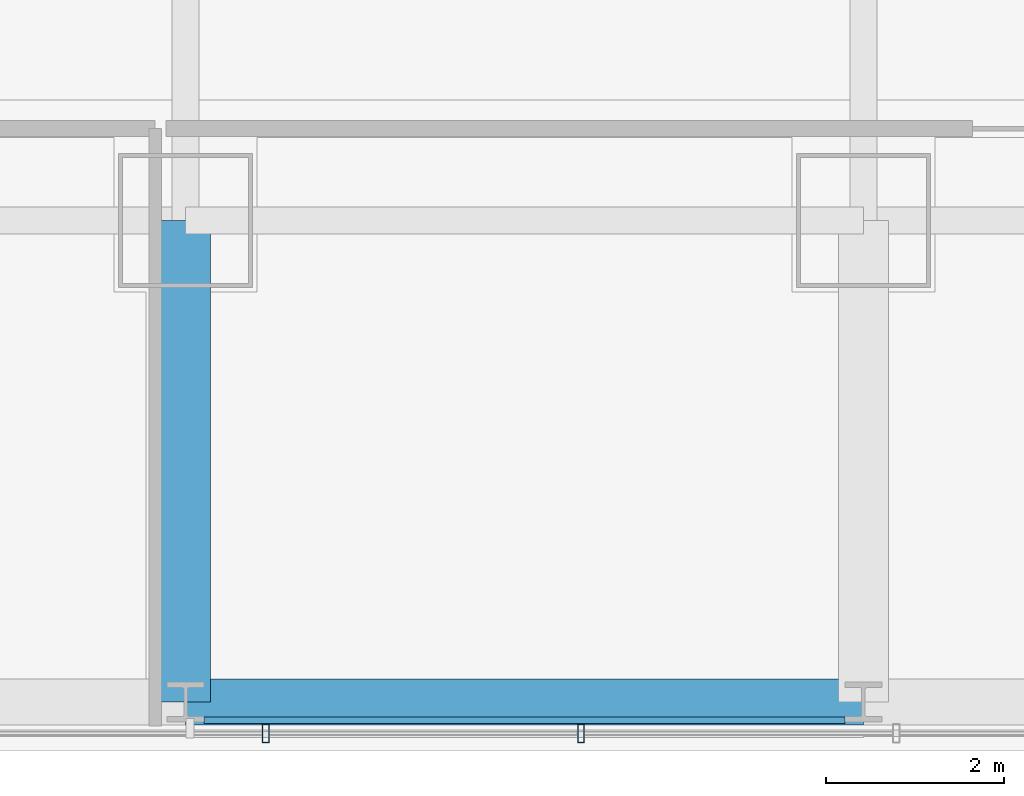
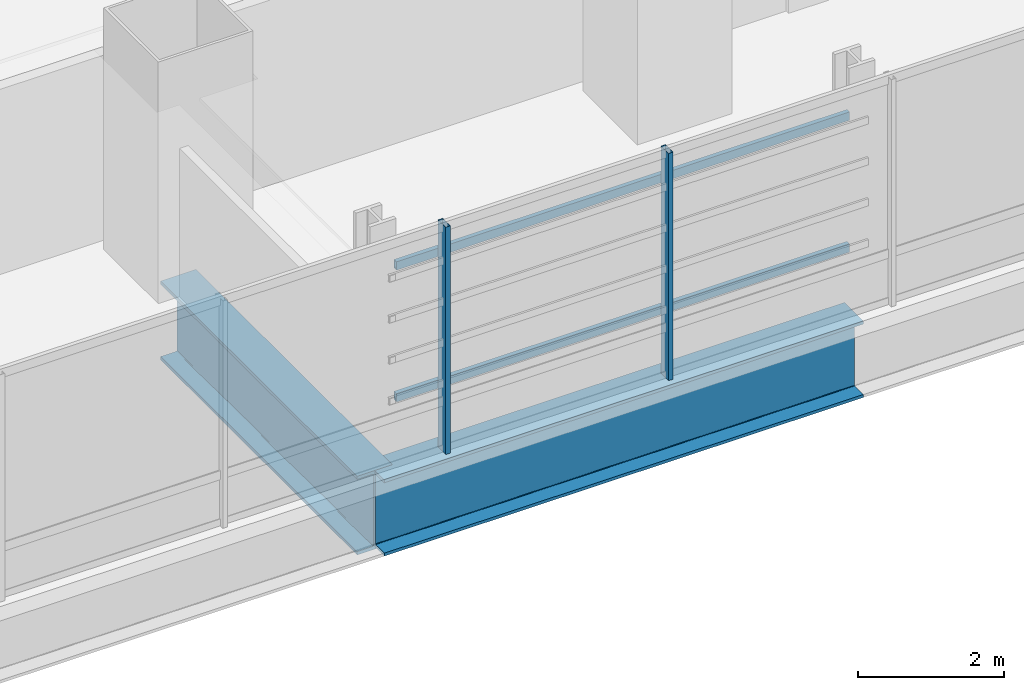
# One storey, part 4 of 35: 4 members, 2 beams, 1 element without a shape of its own.
"""IFC4 building model written with IfcOpenShell, lengths in metres."""

import ifcopenshell
import ifcopenshell.guid

model = None  # the IFC model being written
_history = None  # IfcOwnerHistory: only IFC2X3 demands one
_inside = {}  # id of a spatial element -> (the spatial element, [elements in it])
_under = {}  # id of a project, library or spatial element -> (it, [spatial elements below it])
_declared = {}  # id of a project -> (the project, [libraries it declares])
_typed = {}  # id of a type object -> (the type object, [elements of that type])
_made_of = {}  # id of a material, layer set ... -> (it, [elements and type objects made of it])


def new_model(schema):
    """Start an empty IFC model of exactly this schema.

    Asked for "IFC4X3", IfcOpenShell would pick the latest addendum, in which some entities
    have other attributes; the version numbers below select the first issue.
    IFC2X3 requires an IfcOwnerHistory on every rooted entity: one is made here for all.
    """
    global model, _history
    if schema == "IFC4X3":
        model = ifcopenshell.file(schema_version=(4, 3, 0, 0))
    else:
        model = ifcopenshell.file(schema=schema)
    _inside.clear()
    _under.clear()
    _declared.clear()
    _typed.clear()
    _made_of.clear()
    _history = None
    if model.schema == "IFC2X3":
        org = make("IfcOrganization", Name="unknown")
        user = make(
            "IfcPersonAndOrganization",
            ThePerson=make("IfcPerson", FamilyName="unknown"),
            TheOrganization=org,
        )
        app = make(
            "IfcApplication",
            ApplicationDeveloper=org,
            Version="unknown",
            ApplicationFullName="unknown",
            ApplicationIdentifier="unknown",
        )
        _history = make(
            "IfcOwnerHistory",
            OwningUser=user,
            OwningApplication=app,
            ChangeAction="ADDED",
            CreationDate=0,
        )
    return model


def make(cls, **values):
    """One entity of the class cls with the attributes given. An attribute that is None is left unset."""
    return model.create_entity(
        cls, **{name: value for name, value in values.items() if value is not None}
    )


def rooted(cls, **values):
    """An entity with a GlobalId (a new one), such as an element, a storey or a relation."""
    return make(cls, GlobalId=ifcopenshell.guid.new(), OwnerHistory=_history, **values)


def si_unit(unit_type, name, prefix=None):
    """IfcSIUnit, for example si_unit("LENGTHUNIT", "METRE", prefix="MILLI")."""
    return make("IfcSIUnit", UnitType=unit_type, Prefix=prefix, Name=name)


def assignment(units):
    """IfcUnitAssignment: the units of a project."""
    return None if units is None else make("IfcUnitAssignment", Units=units)


def point(xyz):
    """IfcCartesianPoint."""
    return None if xyz is None else make("IfcCartesianPoint", Coordinates=xyz)


def direction(xyz):
    """IfcDirection."""
    return None if xyz is None else make("IfcDirection", DirectionRatios=xyz)


def frame(location, z_axis=None, x_axis=None):
    """IfcAxis2Placement3D, a coordinate frame: its origin and axes. An axis left out is left unset."""
    return make(
        "IfcAxis2Placement3D",
        Location=point(location),
        Axis=direction(z_axis),
        RefDirection=direction(x_axis),
    )


def frame_2d(location, x_axis=None):
    """IfcAxis2Placement2D, a coordinate frame in the plane: its origin and x axis."""
    return make(
        "IfcAxis2Placement2D", Location=point(location), RefDirection=direction(x_axis)
    )


def origin():
    """The frame at (0, 0, 0) with its axes left unset."""
    return frame((0.0, 0.0, 0.0))


def origin_2d():
    """The frame at (0, 0) in the plane with its x axis left unset."""
    return frame_2d((0.0, 0.0))


def place(relative_to, where):
    """IfcLocalPlacement: puts the frame where relative to a parent placement (None: the world)."""
    return make(
        "IfcLocalPlacement", PlacementRelTo=relative_to, RelativePlacement=where
    )


def context(
    kind, dimensions, precision=None, world=None, true_north=None, identifier=None
):
    """IfcGeometricRepresentationContext, for example the 3D "Model" context."""
    return make(
        "IfcGeometricRepresentationContext",
        ContextIdentifier=identifier,
        ContextType=kind,
        CoordinateSpaceDimension=dimensions,
        Precision=precision,
        WorldCoordinateSystem=world,
        TrueNorth=true_north,
    )


def subcontext(parent, identifier, kind, view, scale=None):
    """IfcGeometricRepresentationSubContext, for example "Body" below "Model"."""
    return make(
        "IfcGeometricRepresentationSubContext",
        ContextIdentifier=identifier,
        ContextType=kind,
        ParentContext=parent,
        TargetScale=scale,
        TargetView=view,
    )


def project(units=None, contexts=None):
    """IfcProject with its units and contexts."""
    return rooted(
        "IfcProject",
        Name="project",
        RepresentationContexts=contexts,
        UnitsInContext=assignment(units),
    )


def spatial(cls, under=None, at=None, **own):
    """A site, building, storey or space (cls), placed at a placement, below another one or the project."""
    s = rooted(cls, ObjectPlacement=at, **own)
    if under is not None:
        _under.setdefault(under.id(), (under, []))[1].append(s)
    return s


def profile(cls, at=None, kind="AREA", **sizes):
    """A parametric profile (cls). Its sizes go by their IFC names, for example OverallWidth=200.0."""
    return make(cls, ProfileType=kind, Position=at, **sizes)


def hollow_rectangle(**sizes):
    """IfcRectangleHollowProfileDef."""
    return profile("IfcRectangleHollowProfileDef", **sizes)


def i_section(**sizes):
    """IfcIShapeProfileDef."""
    return profile("IfcIShapeProfileDef", **sizes)


def extrude(swept, where, along, depth):
    """IfcExtrudedAreaSolid: the profile swept, set in the frame where, extruded along a direction by depth."""
    return make(
        "IfcExtrudedAreaSolid",
        SweptArea=swept,
        Position=where,
        ExtrudedDirection=direction(along),
        Depth=depth,
    )


def shape(context_of_items, identifier, shape_type, items):
    """IfcShapeRepresentation: the items that make up one representation, for example the "Body"."""
    return make(
        "IfcShapeRepresentation",
        ContextOfItems=context_of_items,
        RepresentationIdentifier=identifier,
        RepresentationType=shape_type,
        Items=items,
    )


def material(Name=None, Category=None):
    """IfcMaterial."""
    return make("IfcMaterial", Name=Name, Category=Category)


def material_profile(
    of_material, cross_section, Name=None, Category=None, Priority=None
):
    """IfcMaterialProfile: a cross section and its material."""
    return make(
        "IfcMaterialProfile",
        Name=Name,
        Material=of_material,
        Profile=cross_section,
        Priority=Priority,
        Category=Category,
    )


def profile_set(profiles, Name=None, composite=None):
    """IfcMaterialProfileSet."""
    return make(
        "IfcMaterialProfileSet",
        Name=Name,
        MaterialProfiles=profiles,
        CompositeProfile=composite,
    )


def made_of(thing, what):
    """Note that an element or type object is made of a material, layer set ...; save() writes the relation."""
    if what is not None:
        _made_of.setdefault(what.id(), (what, []))[1].append(thing)
    return thing


def type_object(cls, material=None, **own):
    """A type object (cls), such as IfcWallType, which elements share."""
    return made_of(rooted(cls, **own), material)


def element(
    cls,
    number,
    at=None,
    inside=None,
    cuts=None,
    type_object=None,
    material=None,
    context=None,
    identifier="Body",
    shape_type=None,
    held_by="IfcProductDefinitionShape",
    body=None,
    shapes=None,
    **own,
):
    """One element of the class cls, such as IfcWall. Its Tag is "e" and its number.

    at: its placement. inside: the storey or other place that contains it. cuts: it is an
    opening in that element (IfcRelVoidsElement). A single representation is given by context,
    identifier, shape_type and body (its items); several are given by shapes. held_by: the class
    of the entity that holds the representations. save() writes the other relations.
    """
    e = rooted(cls, Tag="e%d" % number, ObjectPlacement=at, **own)
    if body is not None:
        shapes = [shape(context, identifier, shape_type, body)]
    if shapes is not None:
        e.Representation = make(held_by, Representations=shapes)
    if inside is not None:
        _inside.setdefault(inside.id(), (inside, []))[1].append(e)
    if cuts is not None:
        rooted(
            "IfcRelVoidsElement", RelatingBuildingElement=cuts, RelatedOpeningElement=e
        )
    if type_object is not None:
        _typed.setdefault(type_object.id(), (type_object, []))[1].append(e)
    return made_of(e, material)


def aggregate(whole, parts):
    """IfcRelAggregates: a whole, such as a stair, and the parts it consists of."""
    return rooted("IfcRelAggregates", RelatingObject=whole, RelatedObjects=parts)


def save(model, path):
    """Write the relations noted so far, then the file.

    IfcRelAggregates (storeys below a building ...), IfcRelContainedInSpatialStructure (elements
    in a storey), IfcRelDefinesByType, IfcRelAssociatesMaterial and IfcRelDeclares: one each for
    every whole, place, type object, material and project.
    """
    for whole, parts in _under.values():
        aggregate(whole, parts)
    for where, things in _inside.values():
        rooted(
            "IfcRelContainedInSpatialStructure",
            RelatedElements=things,
            RelatingStructure=where,
        )
    for kind, things in _typed.values():
        rooted("IfcRelDefinesByType", RelatedObjects=things, RelatingType=kind)
    for what, things in _made_of.values():
        rooted("IfcRelAssociatesMaterial", RelatedObjects=things, RelatingMaterial=what)
    for by, libraries in _declared.values():
        rooted("IfcRelDeclares", RelatingContext=by, RelatedDefinitions=libraries)
    model.write(path)


model = new_model("IFC4")

# Units and contexts
model_context = context("Model", 3, precision=1e-05, world=origin(), true_north=direction((0.0, 1.0)))
body_context = subcontext(model_context, "Body", "Model", "MODEL_VIEW")
ifc_project = project(units=[si_unit("LENGTHUNIT", "METRE"), si_unit("AREAUNIT", "SQUARE_METRE"), si_unit("VOLUMEUNIT", "CUBIC_METRE"), si_unit("PLANEANGLEUNIT", "RADIAN"), si_unit("MASSUNIT", "GRAM", prefix="KILO")], contexts=[model_context])

# Site, building, storey
site_placement = place(None, origin())
site = spatial("IfcSite", under=ifc_project, at=site_placement, CompositionType="ELEMENT")
building_placement = place(site_placement, origin())
building = spatial("IfcBuilding", under=site, at=building_placement, Name="Punatoya Terracotta Tower", CompositionType="ELEMENT")
storey_placement = place(building_placement, frame((0.0, 0.0, 68.699951171875)))
storey = spatial("IfcBuildingStorey", under=building, at=storey_placement, Name="L15", CompositionType="ELEMENT", Elevation=68.699951171875)

# Beams
ifc_material_1 = material(Name="Steel S460", Category="steel")
ifc_material_profile_1 = material_profile(ifc_material_1, i_section(OverallWidth=0.56005859375, OverallDepth=1.320068359375, WebThickness=0.035888671875, FlangeThickness=0.054931640625, FilletRadius=0.01806640625, at=origin_2d()))
ifc_profile_set_1 = profile_set([ifc_material_profile_1], Name="Steel S460")
beam_type_1 = type_object("IfcBeamType", Name="BM-TG-BLK", PredefinedType="BEAM", material=ifc_profile_set_1)
beam_1_placement = place(storey_placement, frame((-3.800048828125, -22.89990234375, -0.89990234375), z_axis=(0.0, 1.0, 0.0), x_axis=(-1.0, 0.0, 0.0)))
element("IfcBeam", 1, at=beam_1_placement, inside=storey, type_object=beam_type_1, Name="BM-L15-CANT-S2", PredefinedType="BEAM", context=body_context, shape_type="SweptSolid", body=[
    extrude(i_section(OverallWidth=0.56005859375, OverallDepth=1.320068359375, WebThickness=0.035888671875, FlangeThickness=0.054931640625, FilletRadius=0.01806640625, at=origin_2d()), origin(), (0.0, 0.0, 1.0), 5.39990234375),
])
ifc_material_profile_2 = material_profile(ifc_material_1, i_section(OverallWidth=0.52001953125, OverallDepth=1.280029296875, WebThickness=0.031982421875, FlangeThickness=0.050048828125, FilletRadius=0.01806640625, at=origin_2d()))
ifc_profile_set_2 = profile_set([ifc_material_profile_2], Name="Steel S460")
beam_type_2 = type_object("IfcBeamType", Name="BM-TG-NCK", PredefinedType="BEAM", material=ifc_profile_set_2)
beam_2_placement = place(storey_placement, frame((-3.800048828125, -22.89990234375, -0.8798828125), z_axis=(1.0, 0.0, 0.0), x_axis=(0.0, 1.0, 0.0)))
element("IfcBeam", 2, at=beam_2_placement, inside=storey, type_object=beam_type_2, Name="BM-L15-PER-S2", PredefinedType="BEAM", context=body_context, shape_type="SweptSolid", body=[
    extrude(i_section(OverallWidth=0.52001953125, OverallDepth=1.280029296875, WebThickness=0.031982421875, FlangeThickness=0.050048828125, FilletRadius=0.01806640625, at=origin_2d()), origin(), (0.0, 0.0, 1.0), 7.60009765625),
])

# Curtain wall, members
ifc_material_2 = material(Name="Aluminium 6063-T6 + Double Low-E Glass", Category="aluminium")
curtain_wall_type = type_object("IfcCurtainWallType", Name="CW-M1", PredefinedType="NOTDEFINED", material=ifc_material_2)
curtain_wall_placement = place(storey_placement, origin())
curtain_wall = element("IfcCurtainWall", 3, at=curtain_wall_placement, inside=storey, type_object=curtain_wall_type, Name="L15 Curtain Wall CW-L15-S01-1", PredefinedType="NOTDEFINED")
ifc_material_3 = material(Name="Aluminium 6063-T6", Category="aluminium")
ifc_material_profile_3 = material_profile(ifc_material_3, hollow_rectangle(XDim=0.074951171875, YDim=0.2099609375, WallThickness=0.00439453125, at=origin_2d()))
ifc_profile_set_3 = profile_set([ifc_material_profile_3], Name="Aluminium 6063-T6")
member_type_1 = type_object("IfcMemberType", Name="CW-MUL-M1", PredefinedType="MULLION", material=ifc_profile_set_3)
member_1_placement = place(storey_placement, frame((-2.90087890625, -23.25, 0.0), z_axis=(0.0, 0.0, 1.0), x_axis=(1.0, 0.0, 0.0)))
member_1 = element("IfcMember", 4, at=member_1_placement, type_object=member_type_1, Name="CW-L15-S01-1 Mullion 04", PredefinedType="MULLION", context=body_context, shape_type="SweptSolid", body=[
    extrude(hollow_rectangle(XDim=0.074951171875, YDim=0.2099609375, WallThickness=0.00439453125, at=origin_2d()), origin(), (0.0, 0.0, 1.0), 3.81005859375),
])
member_2_placement = place(storey_placement, frame((0.633056640625, -23.25, 0.0), z_axis=(0.0, 0.0, 1.0), x_axis=(1.0, 0.0, 0.0)))
member_2 = element("IfcMember", 5, at=member_2_placement, type_object=member_type_1, Name="CW-L15-S01-1 Mullion 05", PredefinedType="MULLION", context=body_context, shape_type="SweptSolid", body=[
    extrude(hollow_rectangle(XDim=0.074951171875, YDim=0.2099609375, WallThickness=0.00439453125, at=origin_2d()), origin(), (0.0, 0.0, 1.0), 3.81005859375),
])
aggregate(curtain_wall, [member_1, member_2])

# Members
ifc_material_4 = material(Name="Steel S355", Category="steel")
ifc_material_profile_4 = material_profile(ifc_material_4, hollow_rectangle(XDim=0.070068359375, YDim=0.139892578125, WallThickness=0.006103515625, at=origin_2d()))
ifc_profile_set_4 = profile_set([ifc_material_profile_4], Name="Steel S355")
member_type_2 = type_object("IfcMemberType", Name="MEM-BAG-RAIL", PredefinedType="USERDEFINED", material=ifc_profile_set_4)
for number, where, z_axis, x_axis, name in (
    (6, (-3.592529296875, -23.10498046875, 1.050048828125), (1.0, 0.0, 0.0), (0.0, 1.0, 0.0), "L15 Terracotta Baguette Carrier Rail BAG-L15-S-R1"),
    (7, (-3.592529296875, -23.10498046875, 3.260009765625), (1.0, 0.0, 0.0), (0.0, 1.0, 0.0), "L15 Terracotta Baguette Carrier Rail BAG-L15-S-R2"),
):
    element("IfcMember", number, at=place(storey_placement, frame(where, z_axis=z_axis, x_axis=x_axis)), inside=storey, type_object=member_type_2, Name=name, ObjectType="BAGUETTE", PredefinedType="USERDEFINED", context=body_context, shape_type="SweptSolid", body=[
        extrude(hollow_rectangle(XDim=0.070068359375, YDim=0.139892578125, WallThickness=0.006103515625, at=origin_2d()), origin(), (0.0, 0.0, 1.0), 7.18505859375),
    ])

save(model, "model.ifc")
